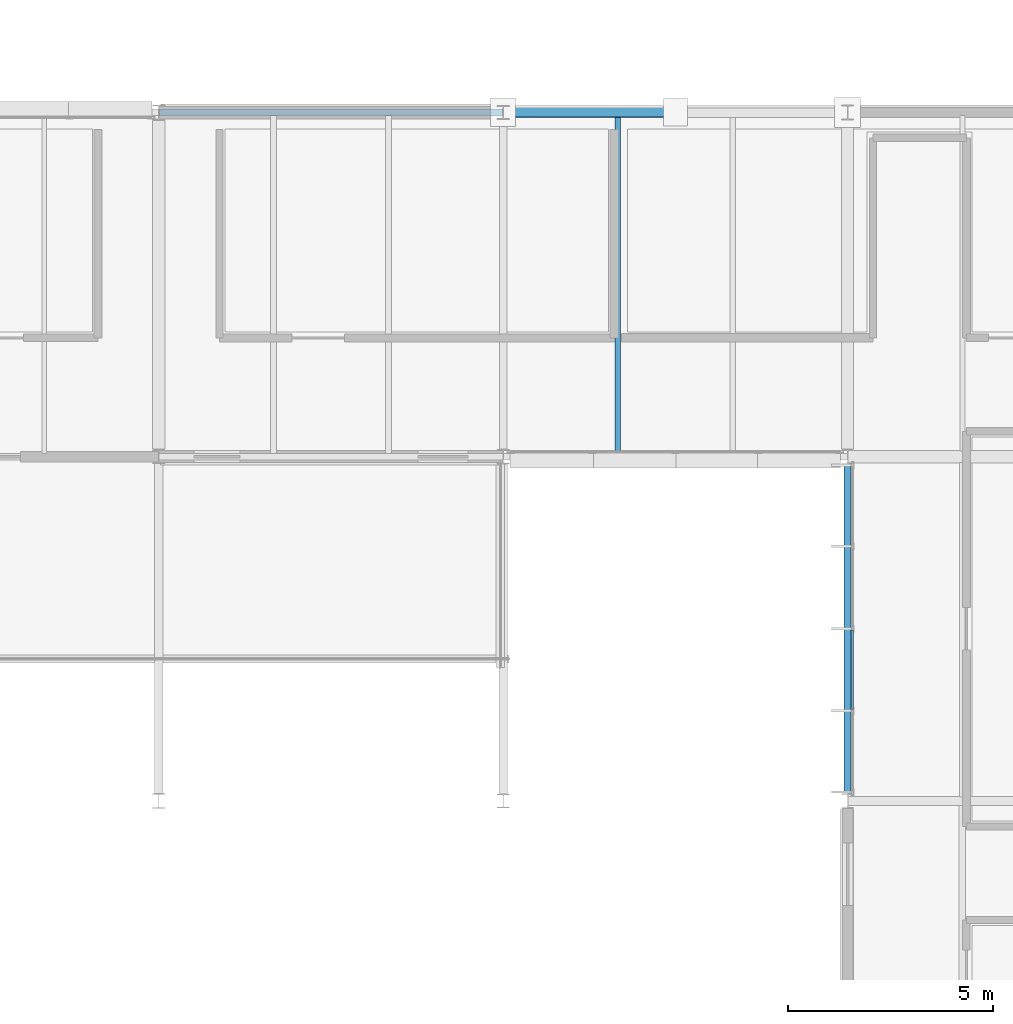
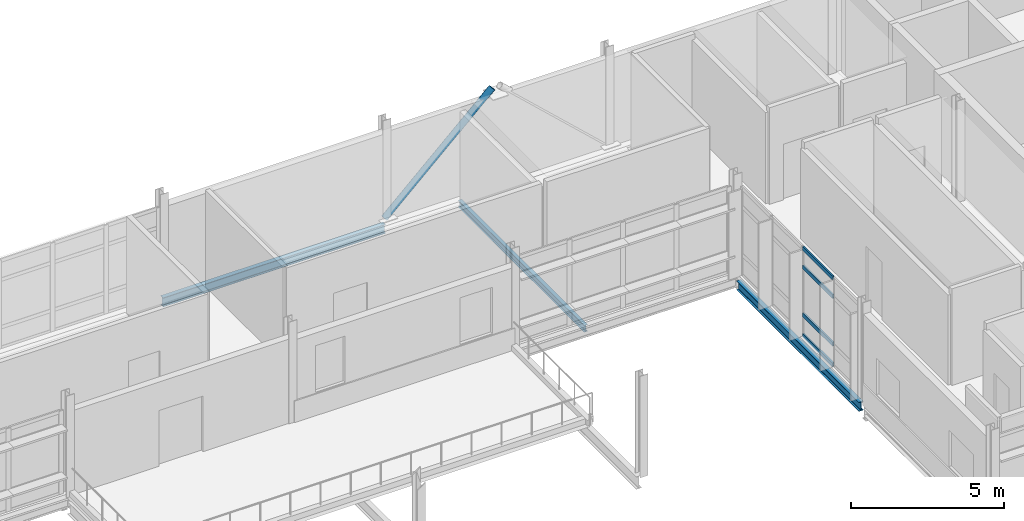
# One storey, part 32 of 57: 5 members, 3 beams, 1 element without a shape of its own.
"""IFC4 building model written with IfcOpenShell, lengths in metres."""

import ifcopenshell
import ifcopenshell.guid

model = None  # the IFC model being written
_history = None  # IfcOwnerHistory: only IFC2X3 demands one
_inside = {}  # id of a spatial element -> (the spatial element, [elements in it])
_under = {}  # id of a project, library or spatial element -> (it, [spatial elements below it])
_declared = {}  # id of a project -> (the project, [libraries it declares])
_typed = {}  # id of a type object -> (the type object, [elements of that type])
_made_of = {}  # id of a material, layer set ... -> (it, [elements and type objects made of it])


def new_model(schema):
    """Start an empty IFC model of exactly this schema.

    Asked for "IFC4X3", IfcOpenShell would pick the latest addendum, in which some entities
    have other attributes; the version numbers below select the first issue.
    IFC2X3 requires an IfcOwnerHistory on every rooted entity: one is made here for all.
    """
    global model, _history
    if schema == "IFC4X3":
        model = ifcopenshell.file(schema_version=(4, 3, 0, 0))
    else:
        model = ifcopenshell.file(schema=schema)
    _inside.clear()
    _under.clear()
    _declared.clear()
    _typed.clear()
    _made_of.clear()
    _history = None
    if model.schema == "IFC2X3":
        org = make("IfcOrganization", Name="unknown")
        user = make(
            "IfcPersonAndOrganization",
            ThePerson=make("IfcPerson", FamilyName="unknown"),
            TheOrganization=org,
        )
        app = make(
            "IfcApplication",
            ApplicationDeveloper=org,
            Version="unknown",
            ApplicationFullName="unknown",
            ApplicationIdentifier="unknown",
        )
        _history = make(
            "IfcOwnerHistory",
            OwningUser=user,
            OwningApplication=app,
            ChangeAction="ADDED",
            CreationDate=0,
        )
    return model


def make(cls, **values):
    """One entity of the class cls with the attributes given. An attribute that is None is left unset."""
    return model.create_entity(
        cls, **{name: value for name, value in values.items() if value is not None}
    )


def rooted(cls, **values):
    """An entity with a GlobalId (a new one), such as an element, a storey or a relation."""
    return make(cls, GlobalId=ifcopenshell.guid.new(), OwnerHistory=_history, **values)


def si_unit(unit_type, name, prefix=None):
    """IfcSIUnit, for example si_unit("LENGTHUNIT", "METRE", prefix="MILLI")."""
    return make("IfcSIUnit", UnitType=unit_type, Prefix=prefix, Name=name)


def assignment(units):
    """IfcUnitAssignment: the units of a project."""
    return None if units is None else make("IfcUnitAssignment", Units=units)


def point(xyz):
    """IfcCartesianPoint."""
    return None if xyz is None else make("IfcCartesianPoint", Coordinates=xyz)


def direction(xyz):
    """IfcDirection."""
    return None if xyz is None else make("IfcDirection", DirectionRatios=xyz)


def frame(location, z_axis=None, x_axis=None):
    """IfcAxis2Placement3D, a coordinate frame: its origin and axes. An axis left out is left unset."""
    return make(
        "IfcAxis2Placement3D",
        Location=point(location),
        Axis=direction(z_axis),
        RefDirection=direction(x_axis),
    )


def frame_2d(location, x_axis=None):
    """IfcAxis2Placement2D, a coordinate frame in the plane: its origin and x axis."""
    return make(
        "IfcAxis2Placement2D", Location=point(location), RefDirection=direction(x_axis)
    )


def origin():
    """The frame at (0, 0, 0) with its axes left unset."""
    return frame((0.0, 0.0, 0.0))


def origin_2d():
    """The frame at (0, 0) in the plane with its x axis left unset."""
    return frame_2d((0.0, 0.0))


def place(relative_to, where):
    """IfcLocalPlacement: puts the frame where relative to a parent placement (None: the world)."""
    return make(
        "IfcLocalPlacement", PlacementRelTo=relative_to, RelativePlacement=where
    )


def context(
    kind, dimensions, precision=None, world=None, true_north=None, identifier=None
):
    """IfcGeometricRepresentationContext, for example the 3D "Model" context."""
    return make(
        "IfcGeometricRepresentationContext",
        ContextIdentifier=identifier,
        ContextType=kind,
        CoordinateSpaceDimension=dimensions,
        Precision=precision,
        WorldCoordinateSystem=world,
        TrueNorth=true_north,
    )


def subcontext(parent, identifier, kind, view, scale=None):
    """IfcGeometricRepresentationSubContext, for example "Body" below "Model"."""
    return make(
        "IfcGeometricRepresentationSubContext",
        ContextIdentifier=identifier,
        ContextType=kind,
        ParentContext=parent,
        TargetScale=scale,
        TargetView=view,
    )


def project(units=None, contexts=None):
    """IfcProject with its units and contexts."""
    return rooted(
        "IfcProject",
        Name="project",
        RepresentationContexts=contexts,
        UnitsInContext=assignment(units),
    )


def spatial(cls, under=None, at=None, **own):
    """A site, building, storey or space (cls), placed at a placement, below another one or the project."""
    s = rooted(cls, ObjectPlacement=at, **own)
    if under is not None:
        _under.setdefault(under.id(), (under, []))[1].append(s)
    return s


def profile(cls, at=None, kind="AREA", **sizes):
    """A parametric profile (cls). Its sizes go by their IFC names, for example OverallWidth=200.0."""
    return make(cls, ProfileType=kind, Position=at, **sizes)


def hollow_rectangle(**sizes):
    """IfcRectangleHollowProfileDef."""
    return profile("IfcRectangleHollowProfileDef", **sizes)


def hollow_circle(**sizes):
    """IfcCircleHollowProfileDef."""
    return profile("IfcCircleHollowProfileDef", **sizes)


def i_section(**sizes):
    """IfcIShapeProfileDef."""
    return profile("IfcIShapeProfileDef", **sizes)


def extrude(swept, where, along, depth):
    """IfcExtrudedAreaSolid: the profile swept, set in the frame where, extruded along a direction by depth."""
    return make(
        "IfcExtrudedAreaSolid",
        SweptArea=swept,
        Position=where,
        ExtrudedDirection=direction(along),
        Depth=depth,
    )


def shape(context_of_items, identifier, shape_type, items):
    """IfcShapeRepresentation: the items that make up one representation, for example the "Body"."""
    return make(
        "IfcShapeRepresentation",
        ContextOfItems=context_of_items,
        RepresentationIdentifier=identifier,
        RepresentationType=shape_type,
        Items=items,
    )


def material(Name=None, Category=None):
    """IfcMaterial."""
    return make("IfcMaterial", Name=Name, Category=Category)


def material_profile(
    of_material, cross_section, Name=None, Category=None, Priority=None
):
    """IfcMaterialProfile: a cross section and its material."""
    return make(
        "IfcMaterialProfile",
        Name=Name,
        Material=of_material,
        Profile=cross_section,
        Priority=Priority,
        Category=Category,
    )


def profile_set(profiles, Name=None, composite=None):
    """IfcMaterialProfileSet."""
    return make(
        "IfcMaterialProfileSet",
        Name=Name,
        MaterialProfiles=profiles,
        CompositeProfile=composite,
    )


def made_of(thing, what):
    """Note that an element or type object is made of a material, layer set ...; save() writes the relation."""
    if what is not None:
        _made_of.setdefault(what.id(), (what, []))[1].append(thing)
    return thing


def type_object(cls, material=None, **own):
    """A type object (cls), such as IfcWallType, which elements share."""
    return made_of(rooted(cls, **own), material)


def element(
    cls,
    number,
    at=None,
    inside=None,
    cuts=None,
    type_object=None,
    material=None,
    context=None,
    identifier="Body",
    shape_type=None,
    held_by="IfcProductDefinitionShape",
    body=None,
    shapes=None,
    **own,
):
    """One element of the class cls, such as IfcWall. Its Tag is "e" and its number.

    at: its placement. inside: the storey or other place that contains it. cuts: it is an
    opening in that element (IfcRelVoidsElement). A single representation is given by context,
    identifier, shape_type and body (its items); several are given by shapes. held_by: the class
    of the entity that holds the representations. save() writes the other relations.
    """
    e = rooted(cls, Tag="e%d" % number, ObjectPlacement=at, **own)
    if body is not None:
        shapes = [shape(context, identifier, shape_type, body)]
    if shapes is not None:
        e.Representation = make(held_by, Representations=shapes)
    if inside is not None:
        _inside.setdefault(inside.id(), (inside, []))[1].append(e)
    if cuts is not None:
        rooted(
            "IfcRelVoidsElement", RelatingBuildingElement=cuts, RelatedOpeningElement=e
        )
    if type_object is not None:
        _typed.setdefault(type_object.id(), (type_object, []))[1].append(e)
    return made_of(e, material)


def aggregate(whole, parts):
    """IfcRelAggregates: a whole, such as a stair, and the parts it consists of."""
    return rooted("IfcRelAggregates", RelatingObject=whole, RelatedObjects=parts)


def save(model, path):
    """Write the relations noted so far, then the file.

    IfcRelAggregates (storeys below a building ...), IfcRelContainedInSpatialStructure (elements
    in a storey), IfcRelDefinesByType, IfcRelAssociatesMaterial and IfcRelDeclares: one each for
    every whole, place, type object, material and project.
    """
    for whole, parts in _under.values():
        aggregate(whole, parts)
    for where, things in _inside.values():
        rooted(
            "IfcRelContainedInSpatialStructure",
            RelatedElements=things,
            RelatingStructure=where,
        )
    for kind, things in _typed.values():
        rooted("IfcRelDefinesByType", RelatedObjects=things, RelatingType=kind)
    for what, things in _made_of.values():
        rooted("IfcRelAssociatesMaterial", RelatedObjects=things, RelatingMaterial=what)
    for by, libraries in _declared.values():
        rooted("IfcRelDeclares", RelatingContext=by, RelatedDefinitions=libraries)
    model.write(path)


model = new_model("IFC4")

# Units and contexts
model_context = context("Model", 3, precision=1e-05, world=origin(), true_north=direction((0.0, 1.0)))
body_context = subcontext(model_context, "Body", "Model", "MODEL_VIEW")
ifc_project = project(units=[si_unit("LENGTHUNIT", "METRE"), si_unit("AREAUNIT", "SQUARE_METRE"), si_unit("VOLUMEUNIT", "CUBIC_METRE"), si_unit("PLANEANGLEUNIT", "RADIAN"), si_unit("MASSUNIT", "GRAM", prefix="KILO")], contexts=[model_context])

# Site, building, storey
site_placement = place(None, origin())
site = spatial("IfcSite", under=ifc_project, at=site_placement, CompositionType="ELEMENT")
building_placement = place(site_placement, origin())
building = spatial("IfcBuilding", under=site, at=building_placement, Name="Mersafa Astral City Hall", CompositionType="ELEMENT")
storey_placement = place(building_placement, frame((0.0, 0.0, 26.10009765625)))
storey = spatial("IfcBuildingStorey", under=building, at=storey_placement, Name="L06", CompositionType="ELEMENT", Elevation=26.10009765625)

# Curtain wall, members
ifc_material_1 = material(Name="Anodised bronze aluminium framing", Category="aluminium")
curtain_wall_type = type_object("IfcCurtainWallType", Name="ENV-CW-5", PredefinedType="USERDEFINED", material=ifc_material_1)
curtain_wall_placement = place(storey_placement, origin())
curtain_wall = element("IfcCurtainWall", 1, at=curtain_wall_placement, inside=storey, type_object=curtain_wall_type, Name="L06 Unitised solar curtain wall 250", ObjectType="UNITISED CURTAIN WALL", PredefinedType="USERDEFINED")
ifc_material_profile_1 = material_profile(ifc_material_1, hollow_rectangle(XDim=0.06005859375, YDim=0.159912109375, WallThickness=0.00390625, at=origin_2d()), Name="RHS 60x160x4")
ifc_profile_set_1 = profile_set([ifc_material_profile_1], Name="Anodised bronze aluminium framing")
member_type_1 = type_object("IfcMemberType", Name="ENV-CW-TRN-2", PredefinedType="USERDEFINED", material=ifc_profile_set_1)
member_1_placement = place(storey_placement, frame((142.919921875, 113.375, 0.02783203125), z_axis=(0.0, -1.0, 0.0), x_axis=(1.0, 0.0, 0.0)))
member_1 = element("IfcMember", 2, at=member_1_placement, type_object=member_type_1, Name="CW-5 transom 3.1", ObjectType="TRANSOM", PredefinedType="USERDEFINED", context=body_context, shape_type="SweptSolid", body=[
    extrude(hollow_rectangle(XDim=0.06005859375, YDim=0.159912109375, WallThickness=0.00390625, at=origin_2d()), origin(), (0.0, 0.0, 1.0), 1.946533203125),
])
member_2_placement = place(storey_placement, frame((142.919921875, 113.375, 0.849853515625), z_axis=(0.0, -1.0, 0.0), x_axis=(1.0, 0.0, 0.0)))
member_2 = element("IfcMember", 3, at=member_2_placement, type_object=member_type_1, Name="CW-5 transom 3.2", ObjectType="TRANSOM", PredefinedType="USERDEFINED", context=body_context, shape_type="SweptSolid", body=[
    extrude(hollow_rectangle(XDim=0.06005859375, YDim=0.159912109375, WallThickness=0.00390625, at=origin_2d()), origin(), (0.0, 0.0, 1.0), 1.946533203125),
])
member_3_placement = place(storey_placement, frame((142.919921875, 113.375, 2.75), z_axis=(0.0, -1.0, 0.0), x_axis=(1.0, 0.0, 0.0)))
member_3 = element("IfcMember", 4, at=member_3_placement, type_object=member_type_1, Name="CW-5 transom 3.3", ObjectType="TRANSOM", PredefinedType="USERDEFINED", context=body_context, shape_type="SweptSolid", body=[
    extrude(hollow_rectangle(XDim=0.06005859375, YDim=0.159912109375, WallThickness=0.00390625, at=origin_2d()), origin(), (0.0, 0.0, 1.0), 1.946533203125),
])
member_4_placement = place(storey_placement, frame((142.919921875, 113.375, 3.491943359375), z_axis=(0.0, -1.0, 0.0), x_axis=(1.0, 0.0, 0.0)))
member_4 = element("IfcMember", 5, at=member_4_placement, type_object=member_type_1, Name="CW-5 transom 3.4", ObjectType="TRANSOM", PredefinedType="USERDEFINED", context=body_context, shape_type="SweptSolid", body=[
    extrude(hollow_rectangle(XDim=0.06005859375, YDim=0.159912109375, WallThickness=0.00390625, at=origin_2d()), origin(), (0.0, 0.0, 1.0), 1.946533203125),
])
aggregate(curtain_wall, [member_1, member_2, member_3, member_4])

# Beams
ifc_material_2 = material(Name="Steel S355", Category="steel")
ifc_material_profile_2 = material_profile(ifc_material_2, i_section(OverallWidth=0.135009765625, OverallDepth=0.27001953125, WebThickness=0.006591796875, FlangeThickness=0.01025390625, FilletRadius=0.014892578125, at=origin_2d()), Name="IPE 270")
ifc_profile_set_2 = profile_set([ifc_material_profile_2], Name="Steel S355")
beam_type_1 = type_object("IfcBeamType", Name="STR-BM-JOIST-IPE270", PredefinedType="JOIST", material=ifc_profile_set_2)
beam_1_placement = place(storey_placement, frame((137.199951171875, 117.679931640625, -0.31005859375), z_axis=(0.0, 1.0, 0.0), x_axis=(-1.0, 0.0, 0.0)))
element("IfcBeam", 6, at=beam_1_placement, inside=storey, type_object=beam_type_1, Name="L06 Composite secondary floor joist 864", PredefinedType="JOIST", context=body_context, shape_type="SweptSolid", body=[
    extrude(i_section(OverallWidth=0.135009765625, OverallDepth=0.27001953125, WebThickness=0.006591796875, FlangeThickness=0.01025390625, FilletRadius=0.014892578125, at=origin_2d()), origin(), (0.0, 0.0, 1.0), 8.2451171875),
])
ifc_material_profile_3 = material_profile(ifc_material_2, i_section(OverallWidth=0.169921875, OverallDepth=0.360107421875, WebThickness=0.008056640625, FlangeThickness=0.0126953125, FilletRadius=0.01806640625, at=origin_2d()), Name="IPE 360")
ifc_profile_set_3 = profile_set([ifc_material_profile_3], Name="Steel S355")
beam_type_2 = type_object("IfcBeamType", Name="STR-BM-SPANDREL-IPE360", PredefinedType="SPANDREL", material=ifc_profile_set_3)
beam_2_placement = place(storey_placement, frame((126.0029296875, 126.0, -0.35498046875), z_axis=(1.0, 0.0, 0.0), x_axis=(0.0, 1.0, 0.0)))
element("IfcBeam", 7, at=beam_2_placement, inside=storey, type_object=beam_type_2, Name="L06 Primary girder X 15-15", PredefinedType="SPANDREL", context=body_context, shape_type="SweptSolid", body=[
    extrude(i_section(OverallWidth=0.169921875, OverallDepth=0.360107421875, WebThickness=0.008056640625, FlangeThickness=0.0126953125, FilletRadius=0.01806640625, at=origin_2d()), origin(), (0.0, 0.0, 1.0), 8.39404296875),
])
beam_3_placement = place(storey_placement, frame((142.800048828125, 109.39501953125, -0.35498046875), z_axis=(0.0, 1.0, 0.0), x_axis=(-1.0, 0.0, 0.0)))
element("IfcBeam", 8, at=beam_3_placement, inside=storey, type_object=beam_type_2, Name="L06 Primary girder Y 17-13", PredefinedType="SPANDREL", context=body_context, shape_type="SweptSolid", body=[
    extrude(i_section(OverallWidth=0.169921875, OverallDepth=0.360107421875, WebThickness=0.008056640625, FlangeThickness=0.0126953125, FilletRadius=0.01806640625, at=origin_2d()), origin(), (0.0, 0.0, 1.0), 8.010009765625),
])

# Member
ifc_material_profile_4 = material_profile(ifc_material_2, hollow_circle(Radius=0.122314453125, WallThickness=0.012451171875, at=origin_2d()), Name="CHS 244.5x12.5")
ifc_profile_set_4 = profile_set([ifc_material_profile_4], Name="Steel S355")
member_type_2 = type_object("IfcMemberType", Name="STR-MBR-BRACE-CHS245", PredefinedType="BRACE", material=ifc_profile_set_4)
member_5_placement = place(storey_placement, frame((134.39794921875, 126.0, 0.02001953125), z_axis=(0.73162091968, 0.0, 0.681711691177), x_axis=(0.0, 1.0, 0.0)))
element("IfcMember", 9, at=member_5_placement, inside=storey, type_object=member_type_2, Name="L06 Chevron lateral brace 20A", PredefinedType="BRACE", context=body_context, shape_type="SweptSolid", body=[
    extrude(hollow_circle(Radius=0.122314453125, WallThickness=0.012451171875, at=origin_2d()), origin(), (0.0, 0.0, 1.0), 5.552001953125),
])

save(model, "model.ifc")
